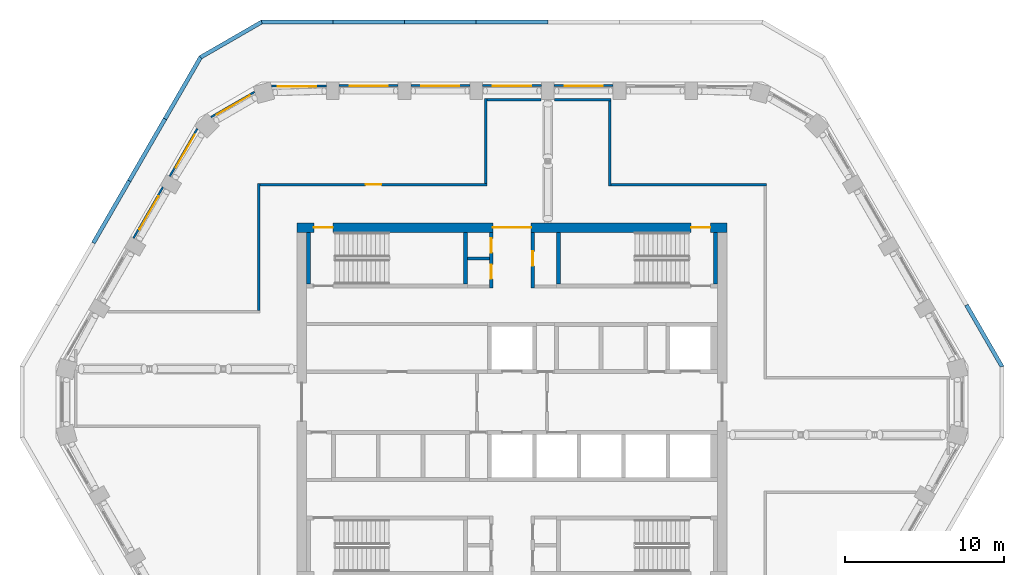
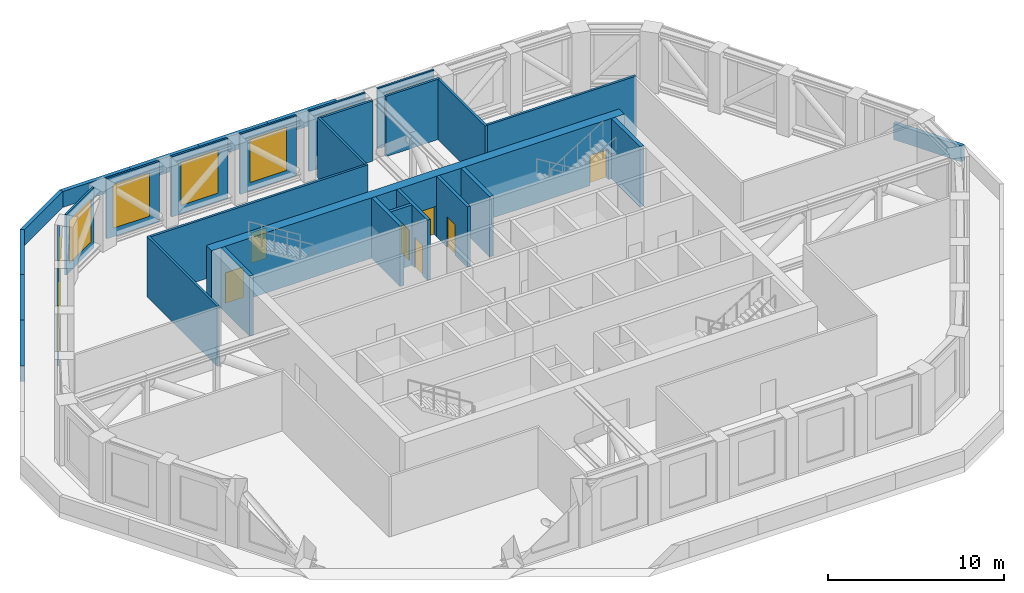
# One storey, part 9 of 15: 32 walls, 8 windows, 7 doors, 15 openings.
"""IFC4 building model written with IfcOpenShell, lengths in metres."""

from ifc_helpers import new_model, si_unit, direction, frame, frame_2d, origin, place, context, subcontext, project, spatial, polyline, rectangle, outline, extrude, material, layer, layer_set, type_object, element, fill, save


model = new_model("IFC4")

# Units and contexts
model_context = context("Model", 3, precision=1e-05, world=origin(), true_north=direction((0.0, 1.0)))
body_context = subcontext(model_context, "Body", "Model", "MODEL_VIEW")
ifc_project = project(units=[si_unit("LENGTHUNIT", "METRE"), si_unit("AREAUNIT", "SQUARE_METRE"), si_unit("VOLUMEUNIT", "CUBIC_METRE"), si_unit("PLANEANGLEUNIT", "RADIAN"), si_unit("MASSUNIT", "GRAM", prefix="KILO")], contexts=[model_context])

# Site, building, storey
site_placement = place(None, origin())
site = spatial("IfcSite", under=ifc_project, at=site_placement, CompositionType="ELEMENT")
building_placement = place(site_placement, origin())
building = spatial("IfcBuilding", under=site, at=building_placement, Name="Dhurran Vertical Campus", CompositionType="ELEMENT")
storey_placement = place(building_placement, frame((0.0, 0.0, 230.699951171875)))
storey = spatial("IfcBuildingStorey", under=building, at=storey_placement, Name="L57 Plant", CompositionType="ELEMENT", Elevation=230.699951171875)

# Wall, opening, window
ifc_material_1 = material(Name="Precast concrete C50/60", Category="concrete")
ifc_layer_1 = layer(ifc_material_1, 0.1201171875)
ifc_layer_set_1 = layer_set([ifc_layer_1], Name="Precast concrete C50/60")
wall_type_1 = type_object("IfcWallType", Name="Precast louvre-bay panel 120", PredefinedType="SOLIDWALL", material=ifc_layer_set_1)
wall_1_placement = place(storey_placement, frame((6.349609375, 19.8837890625, 0.0), z_axis=(0.0, 0.0, 1.0), x_axis=(-1.0, 0.0, 0.0)))
wall_1 = element("IfcWall", 1, at=wall_1_placement, inside=storey, type_object=wall_type_1, Name="EW4 L57.20", PredefinedType="SOLIDWALL", context=body_context, shape_type="SweptSolid", body=[
    extrude(rectangle(XDim=3.69921875, YDim=0.1201171875, at=frame_2d((1.849609375, 0.0))), origin(), (0.0, 0.0, 1.0), 4.175048828125),
])
opening_1_placement = place(wall_1_placement, frame((0.6494140625, 0.0, 0.60009765625)))
opening_1 = element("IfcOpeningElement", 2, at=opening_1_placement, cuts=wall_1, Name="Opening WT4", PredefinedType="OPENING", context=body_context, shape_type="SweptSolid", body=[
    extrude(rectangle(XDim=2.39990234375, YDim=3.0, at=frame_2d((1.199951171875, 1.5))), frame((0.0, 0.070068359375, 0.0), z_axis=(0.0, -1.0, 0.0), x_axis=(1.0, 0.0, 0.0)), (0.0, 0.0, 1.0), 0.14013671875),
])
ifc_material_2 = material(Name="Aluminium louvre", Category="aluminium")
window_type = type_object("IfcWindowType", Name="Louvred plant vent 2400 x 3000", PartitioningType="SINGLE_PANEL", PredefinedType="WINDOW", material=ifc_material_2)
window_1_placement = place(opening_1_placement, origin())
window_1 = element("IfcWindow", 3, at=window_1_placement, inside=storey, type_object=window_type, Name="WT4 L57.20", OverallHeight=3.0, OverallWidth=2.39990234375, PartitioningType="SINGLE_PANEL", PredefinedType="WINDOW", context=body_context, shape_type="SweptSolid", body=[
    extrude(rectangle(XDim=2.39990234375, YDim=3.0, at=frame_2d((1.199951171875, 1.5))), frame((0.0, 0.06005859375, 0.0), z_axis=(0.0, -1.0, 0.0), x_axis=(1.0, 0.0, 0.0)), (0.0, 0.0, 1.0), 0.02001953125),
])
fill(opening_1, window_1)

wall_2_placement = place(storey_placement, frame((1.849609375, 19.8837890625, 0.0), z_axis=(0.0, 0.0, 1.0), x_axis=(-1.0, 0.0, 0.0)))
wall_2 = element("IfcWall", 4, at=wall_2_placement, inside=storey, type_object=wall_type_1, Name="EW4 L57.21", PredefinedType="SOLIDWALL", context=body_context, shape_type="SweptSolid", body=[
    extrude(rectangle(XDim=3.69921875, YDim=0.1201171875, at=frame_2d((1.849609375, 0.0))), origin(), (0.0, 0.0, 1.0), 4.175048828125),
])
opening_2_placement = place(wall_2_placement, frame((0.6494140625, 0.0, 0.60009765625)))
opening_2 = element("IfcOpeningElement", 5, at=opening_2_placement, cuts=wall_2, Name="Opening WT4", PredefinedType="OPENING", context=body_context, shape_type="SweptSolid", body=[
    extrude(rectangle(XDim=2.39990234375, YDim=3.0, at=frame_2d((1.199951171875, 1.5))), frame((0.0, 0.070068359375, 0.0), z_axis=(0.0, -1.0, 0.0), x_axis=(1.0, 0.0, 0.0)), (0.0, 0.0, 1.0), 0.14013671875),
])
window_2_placement = place(opening_2_placement, origin())
window_2 = element("IfcWindow", 6, at=window_2_placement, inside=storey, type_object=window_type, Name="WT4 L57.21", OverallHeight=3.0, OverallWidth=2.39990234375, PartitioningType="SINGLE_PANEL", PredefinedType="WINDOW", context=body_context, shape_type="SweptSolid", body=[
    extrude(rectangle(XDim=2.39990234375, YDim=3.0, at=frame_2d((1.199951171875, 1.5))), frame((0.0, 0.06005859375, 0.0), z_axis=(0.0, -1.0, 0.0), x_axis=(1.0, 0.0, 0.0)), (0.0, 0.0, 1.0), 0.02001953125),
])
fill(opening_2, window_2)

wall_3_placement = place(storey_placement, frame((-2.650390625, 19.8837890625, 0.0), z_axis=(0.0, 0.0, 1.0), x_axis=(-1.0, 0.0, 0.0)))
wall_3 = element("IfcWall", 7, at=wall_3_placement, inside=storey, type_object=wall_type_1, Name="EW4 L57.22", PredefinedType="SOLIDWALL", context=body_context, shape_type="SweptSolid", body=[
    extrude(rectangle(XDim=3.69921875, YDim=0.1201171875, at=frame_2d((1.849609375, 0.0))), origin(), (0.0, 0.0, 1.0), 4.175048828125),
])
opening_3_placement = place(wall_3_placement, frame((0.6494140625, 0.0, 0.60009765625)))
opening_3 = element("IfcOpeningElement", 8, at=opening_3_placement, cuts=wall_3, Name="Opening WT4", PredefinedType="OPENING", context=body_context, shape_type="SweptSolid", body=[
    extrude(rectangle(XDim=2.39990234375, YDim=3.0, at=frame_2d((1.199951171875, 1.5))), frame((0.0, 0.070068359375, 0.0), z_axis=(0.0, -1.0, 0.0), x_axis=(1.0, 0.0, 0.0)), (0.0, 0.0, 1.0), 0.14013671875),
])
window_3_placement = place(opening_3_placement, origin())
window_3 = element("IfcWindow", 9, at=window_3_placement, inside=storey, type_object=window_type, Name="WT4 L57.22", OverallHeight=3.0, OverallWidth=2.39990234375, PartitioningType="SINGLE_PANEL", PredefinedType="WINDOW", context=body_context, shape_type="SweptSolid", body=[
    extrude(rectangle(XDim=2.39990234375, YDim=3.0, at=frame_2d((1.199951171875, 1.5))), frame((0.0, 0.06005859375, 0.0), z_axis=(0.0, -1.0, 0.0), x_axis=(1.0, 0.0, 0.0)), (0.0, 0.0, 1.0), 0.02001953125),
])
fill(opening_3, window_3)

wall_4_placement = place(storey_placement, frame((-7.150390625, 19.8837890625, 0.0), z_axis=(0.0, 0.0, 1.0), x_axis=(-1.0, 0.0, 0.0)))
wall_4 = element("IfcWall", 10, at=wall_4_placement, inside=storey, type_object=wall_type_1, Name="EW4 L57.23", PredefinedType="SOLIDWALL", context=body_context, shape_type="SweptSolid", body=[
    extrude(rectangle(XDim=3.69921875, YDim=0.1201171875, at=frame_2d((1.849609375, 0.0))), origin(), (0.0, 0.0, 1.0), 4.175048828125),
])
opening_4_placement = place(wall_4_placement, frame((0.6494140625, 0.0, 0.60009765625)))
opening_4 = element("IfcOpeningElement", 11, at=opening_4_placement, cuts=wall_4, Name="Opening WT4", PredefinedType="OPENING", context=body_context, shape_type="SweptSolid", body=[
    extrude(rectangle(XDim=2.39990234375, YDim=3.0, at=frame_2d((1.199951171875, 1.5))), frame((0.0, 0.070068359375, 0.0), z_axis=(0.0, -1.0, 0.0), x_axis=(1.0, 0.0, 0.0)), (0.0, 0.0, 1.0), 0.14013671875),
])
window_4_placement = place(opening_4_placement, origin())
window_4 = element("IfcWindow", 12, at=window_4_placement, inside=storey, type_object=window_type, Name="WT4 L57.23", OverallHeight=3.0, OverallWidth=2.39990234375, PartitioningType="SINGLE_PANEL", PredefinedType="WINDOW", context=body_context, shape_type="SweptSolid", body=[
    extrude(rectangle(XDim=2.39990234375, YDim=3.0, at=frame_2d((1.199951171875, 1.5))), frame((0.0, 0.06005859375, 0.0), z_axis=(0.0, -1.0, 0.0), x_axis=(1.0, 0.0, 0.0)), (0.0, 0.0, 1.0), 0.02001953125),
])
fill(opening_4, window_4)

wall_5_placement = place(storey_placement, frame((-11.650390625, 19.850830078125, 0.0), z_axis=(0.0, 0.0, 1.0), x_axis=(-1.0, 0.0, 0.0)))
wall_5 = element("IfcWall", 13, at=wall_5_placement, inside=storey, type_object=wall_type_1, Name="EW4 L57.24", PredefinedType="SOLIDWALL", context=body_context, shape_type="SweptSolid", body=[
    extrude(rectangle(XDim=3.4501953125, YDim=0.1201171875, at=frame_2d((1.72509765625, 0.0))), origin(), (0.0, 0.0, 1.0), 4.175048828125),
])
opening_5_placement = place(wall_5_placement, frame((0.6494140625, 0.0, 0.60009765625)))
opening_5 = element("IfcOpeningElement", 14, at=opening_5_placement, cuts=wall_5, Name="Opening WT4", PredefinedType="OPENING", context=body_context, shape_type="SweptSolid", body=[
    extrude(rectangle(XDim=2.39990234375, YDim=3.0, at=frame_2d((1.199951171875, 1.5))), frame((0.0, 0.070068359375, 0.0), z_axis=(0.0, -1.0, 0.0), x_axis=(1.0, 0.0, 0.0)), (0.0, 0.0, 1.0), 0.14013671875),
])
window_5_placement = place(opening_5_placement, origin())
window_5 = element("IfcWindow", 15, at=window_5_placement, inside=storey, type_object=window_type, Name="WT4 L57.24", OverallHeight=3.0, OverallWidth=2.39990234375, PartitioningType="SINGLE_PANEL", PredefinedType="WINDOW", context=body_context, shape_type="SweptSolid", body=[
    extrude(rectangle(XDim=2.39990234375, YDim=3.0, at=frame_2d((1.199951171875, 1.5))), frame((0.0, 0.06005859375, 0.0), z_axis=(0.0, -1.0, 0.0), x_axis=(1.0, 0.0, 0.0)), (0.0, 0.0, 1.0), 0.02001953125),
])
fill(opening_5, window_5)

wall_6_placement = place(storey_placement, frame((-16.169189453125, 19.46728515625, 0.0), z_axis=(0.0, 0.0, 1.0), x_axis=(-0.866008907395, -0.500028571497, 0.0)))
wall_6 = element("IfcWall", 16, at=wall_6_placement, inside=storey, type_object=wall_type_1, Name="EW4 L57.25", PredefinedType="SOLIDWALL", context=body_context, shape_type="SweptSolid", body=[
    extrude(rectangle(XDim=3.152587890625, YDim=0.1201171875, at=frame_2d((1.576171875, 0.0))), origin(), (0.0, 0.0, 1.0), 4.175048828125),
])
opening_6_placement = place(wall_6_placement, frame((0.376220703125, 0.0, 0.60009765625)))
opening_6 = element("IfcOpeningElement", 17, at=opening_6_placement, cuts=wall_6, Name="Opening WT4", PredefinedType="OPENING", context=body_context, shape_type="SweptSolid", body=[
    extrude(rectangle(XDim=2.39990234375, YDim=3.0, at=frame_2d((1.199951171875, 1.5))), frame((0.0, 0.070068359375, 0.0), z_axis=(0.0, -1.0, 0.0), x_axis=(1.0, 0.0, 0.0)), (0.0, 0.0, 1.0), 0.14013671875),
])
window_6_placement = place(opening_6_placement, origin())
window_6 = element("IfcWindow", 18, at=window_6_placement, inside=storey, type_object=window_type, Name="WT4 L57.25", OverallHeight=3.0, OverallWidth=2.39990234375, PartitioningType="SINGLE_PANEL", PredefinedType="WINDOW", context=body_context, shape_type="SweptSolid", body=[
    extrude(rectangle(XDim=2.39990234375, YDim=3.0, at=frame_2d((1.199951171875, 1.5))), frame((0.0, 0.06005859375, 0.0), z_axis=(0.0, -1.0, 0.0), x_axis=(1.0, 0.0, 0.0)), (0.0, 0.0, 1.0), 0.02001953125),
])
fill(opening_6, window_6)

wall_7_placement = place(storey_placement, frame((-19.76611328125, 17.156982421875, 0.0), z_axis=(0.0, 0.0, 1.0), x_axis=(-0.499967486139, -0.866044174857, 0.0)))
wall_7 = element("IfcWall", 19, at=wall_7_placement, inside=storey, type_object=wall_type_1, Name="EW4 L57.26", PredefinedType="SOLIDWALL", context=body_context, shape_type="SweptSolid", body=[
    extrude(rectangle(XDim=3.449951171875, YDim=0.1201171875, at=frame_2d((1.72509765625, 0.0))), origin(), (0.0, 0.0, 1.0), 4.175048828125),
])
opening_7_placement = place(wall_7_placement, frame((0.400390625, 0.0, 0.60009765625)))
opening_7 = element("IfcOpeningElement", 20, at=opening_7_placement, cuts=wall_7, Name="Opening WT4", PredefinedType="OPENING", context=body_context, shape_type="SweptSolid", body=[
    extrude(rectangle(XDim=2.39990234375, YDim=3.0, at=frame_2d((1.199951171875, 1.5))), frame((0.0, 0.070068359375, 0.0), z_axis=(0.0, -1.0, 0.0), x_axis=(1.0, 0.0, 0.0)), (0.0, 0.0, 1.0), 0.14013671875),
])
window_7_placement = place(opening_7_placement, origin())
window_7 = element("IfcWindow", 21, at=window_7_placement, inside=storey, type_object=window_type, Name="WT4 L57.26", OverallHeight=3.0, OverallWidth=2.39990234375, PartitioningType="SINGLE_PANEL", PredefinedType="WINDOW", context=body_context, shape_type="SweptSolid", body=[
    extrude(rectangle(XDim=2.39990234375, YDim=3.0, at=frame_2d((1.199951171875, 1.5))), frame((0.0, 0.06005859375, 0.0), z_axis=(0.0, -1.0, 0.0), x_axis=(1.0, 0.0, 0.0)), (0.0, 0.0, 1.0), 0.02001953125),
])
fill(opening_7, window_7)

wall_8_placement = place(storey_placement, frame((-21.919921875, 13.4921875, 0.0), z_axis=(0.0, 0.0, 1.0), x_axis=(-0.500029062817, -0.866008623709, 0.0)))
wall_8 = element("IfcWall", 22, at=wall_8_placement, inside=storey, type_object=wall_type_1, Name="EW4 L57.27", PredefinedType="SOLIDWALL", context=body_context, shape_type="SweptSolid", body=[
    extrude(rectangle(XDim=3.698974609375, YDim=0.1201171875, at=frame_2d((1.849609375, 0.0))), origin(), (0.0, 0.0, 1.0), 4.175048828125),
])
opening_8_placement = place(wall_8_placement, frame((0.6494140625, 0.0, 0.60009765625)))
opening_8 = element("IfcOpeningElement", 23, at=opening_8_placement, cuts=wall_8, Name="Opening WT4", PredefinedType="OPENING", context=body_context, shape_type="SweptSolid", body=[
    extrude(rectangle(XDim=2.39990234375, YDim=3.0, at=frame_2d((1.199951171875, 1.5))), frame((0.0, 0.070068359375, 0.0), z_axis=(0.0, -1.0, 0.0), x_axis=(1.0, 0.0, 0.0)), (0.0, 0.0, 1.0), 0.14013671875),
])
window_8_placement = place(opening_8_placement, origin())
window_8 = element("IfcWindow", 24, at=window_8_placement, inside=storey, type_object=window_type, Name="WT4 L57.27", OverallHeight=3.0, OverallWidth=2.39990234375, PartitioningType="SINGLE_PANEL", PredefinedType="WINDOW", context=body_context, shape_type="SweptSolid", body=[
    extrude(rectangle(XDim=2.39990234375, YDim=3.0, at=frame_2d((1.199951171875, 1.5))), frame((0.0, 0.06005859375, 0.0), z_axis=(0.0, -1.0, 0.0), x_axis=(1.0, 0.0, 0.0)), (0.0, 0.0, 1.0), 0.02001953125),
])
fill(opening_8, window_8)

# Walls
ifc_material_3 = material(Name="Precast concrete C50/60", Category="concrete")
ifc_layer_2 = layer(ifc_material_3, 0.25)
ifc_layer_set_2 = layer_set([ifc_layer_2], Name="Precast concrete C50/60")
wall_type_2 = type_object("IfcWallType", Name="Precast parapet 250", PredefinedType="PARAPET", material=ifc_layer_set_2)
wall_9_placement = place(storey_placement, origin())
element("IfcWall", 25, at=wall_9_placement, inside=storey, type_object=wall_type_2, Name="PW1 L57.14", PredefinedType="PARAPET", context=body_context, shape_type="SweptSolid", body=[
    extrude(outline(polyline([(30.897216796875, 2.25), (28.647216796875, 6.147216796875), (28.4306640625, 6.022216796875), (30.647216796875, 2.18310546875), (30.897216796875, 2.25)])), origin(), (0.0, 0.0, 1.0), 1.10009765625),
])
wall_10_placement = place(storey_placement, origin())
element("IfcWall", 26, at=wall_10_placement, inside=storey, type_object=wall_type_2, Name="PW1 L57.23", PredefinedType="PARAPET", context=body_context, shape_type="SweptSolid", body=[
    extrude(outline(polyline([(2.25, 23.985595703125), (-2.25, 23.985595703125), (-2.25, 23.735595703125), (2.25, 23.735595703125), (2.25, 23.985595703125)])), origin(), (0.0, 0.0, 1.0), 1.10009765625),
])
wall_11_placement = place(storey_placement, origin())
element("IfcWall", 27, at=wall_11_placement, inside=storey, type_object=wall_type_2, Name="PW1 L57.24", PredefinedType="PARAPET", context=body_context, shape_type="SweptSolid", body=[
    extrude(outline(polyline([(-2.25, 23.985595703125), (-6.75, 23.985595703125), (-6.75, 23.735595703125), (-2.25, 23.735595703125), (-2.25, 23.985595703125)])), origin(), (0.0, 0.0, 1.0), 1.10009765625),
])
wall_12_placement = place(storey_placement, origin())
element("IfcWall", 28, at=wall_12_placement, inside=storey, type_object=wall_type_2, Name="PW1 L57.25", PredefinedType="PARAPET", context=body_context, shape_type="SweptSolid", body=[
    extrude(outline(polyline([(-6.75, 23.985595703125), (-11.25, 23.985595703125), (-11.25, 23.735595703125), (-6.75, 23.735595703125), (-6.75, 23.985595703125)])), origin(), (0.0, 0.0, 1.0), 1.10009765625),
])
wall_13_placement = place(storey_placement, origin())
element("IfcWall", 29, at=wall_13_placement, inside=storey, type_object=wall_type_2, Name="PW1 L57.26", PredefinedType="PARAPET", context=body_context, shape_type="SweptSolid", body=[
    extrude(outline(polyline([(-11.25, 23.985595703125), (-15.75, 23.985595703125), (-15.68310546875, 23.735595703125), (-11.25, 23.735595703125), (-11.25, 23.985595703125)])), origin(), (0.0, 0.0, 1.0), 1.10009765625),
])
wall_14_placement = place(storey_placement, origin())
element("IfcWall", 30, at=wall_14_placement, inside=storey, type_object=wall_type_2, Name="PW1 L57.27", PredefinedType="PARAPET", context=body_context, shape_type="SweptSolid", body=[
    extrude(outline(polyline([(-15.75, 23.985595703125), (-19.647216796875, 21.735595703125), (-19.464111328125, 21.552490234375), (-15.68310546875, 23.735595703125), (-15.75, 23.985595703125)])), origin(), (0.0, 0.0, 1.0), 1.10009765625),
])
wall_15_placement = place(storey_placement, origin())
element("IfcWall", 31, at=wall_15_placement, inside=storey, type_object=wall_type_2, Name="PW1 L57.28", PredefinedType="PARAPET", context=body_context, shape_type="SweptSolid", body=[
    extrude(outline(polyline([(-19.647216796875, 21.735595703125), (-21.897216796875, 17.83837890625), (-21.6806640625, 17.71337890625), (-19.464111328125, 21.552490234375), (-19.647216796875, 21.735595703125)])), origin(), (0.0, 0.0, 1.0), 1.10009765625),
])
wall_16_placement = place(storey_placement, origin())
element("IfcWall", 32, at=wall_16_placement, inside=storey, type_object=wall_type_2, Name="PW1 L57.29", PredefinedType="PARAPET", context=body_context, shape_type="SweptSolid", body=[
    extrude(outline(polyline([(-21.897216796875, 17.83837890625), (-24.147216796875, 13.94140625), (-23.9306640625, 13.81640625), (-21.6806640625, 17.71337890625), (-21.897216796875, 17.83837890625)])), origin(), (0.0, 0.0, 1.0), 1.10009765625),
])
wall_17_placement = place(storey_placement, origin())
element("IfcWall", 33, at=wall_17_placement, inside=storey, type_object=wall_type_2, Name="PW1 L57.30", PredefinedType="PARAPET", context=body_context, shape_type="SweptSolid", body=[
    extrude(outline(polyline([(-24.147216796875, 13.94140625), (-26.397216796875, 10.044189453125), (-26.1806640625, 9.919189453125), (-23.9306640625, 13.81640625), (-24.147216796875, 13.94140625)])), origin(), (0.0, 0.0, 1.0), 1.10009765625),
])

# Wall, openings, doors
ifc_material_4 = material(Name="Concrete C50/60", Category="concrete")
ifc_layer_3 = layer(ifc_material_4, 0.60009765625)
ifc_layer_set_3 = layer_set([ifc_layer_3], Name="Concrete C50/60")
wall_type_3 = type_object("IfcWallType", Name="co-CORE-WALL-C2-600", PredefinedType="SHEAR", material=ifc_layer_set_3)
wall_18_placement = place(storey_placement, frame((-13.5, 10.949951171875, 0.0), z_axis=(0.0, 0.0, 1.0), x_axis=(1.0, 0.0, 0.0)))
wall_18 = element("IfcWall", 34, at=wall_18_placement, inside=storey, type_object=wall_type_3, Name="Core wall N L57", PredefinedType="SHEAR", context=body_context, shape_type="SweptSolid", body=[
    extrude(rectangle(XDim=27.0, YDim=0.60009765625, at=frame_2d((13.5, 0.0))), origin(), (0.0, 0.0, 1.0), 4.175048828125),
])
opening_9_placement = place(wall_18_placement, frame((12.300048828125, 0.0, 0.0)))
opening_9 = element("IfcOpeningElement", 35, at=opening_9_placement, cuts=wall_18, Name="Opening CV1", PredefinedType="OPENING", context=body_context, shape_type="SweptSolid", body=[
    extrude(rectangle(XDim=2.39990234375, YDim=2.10009765625, at=frame_2d((1.199951171875, 1.050048828125))), frame((0.0, 0.31005859375, 0.0), z_axis=(0.0, -1.0, 0.0), x_axis=(1.0, 0.0, 0.0)), (0.0, 0.0, 1.0), 0.6201171875),
])
opening_10_placement = place(wall_18_placement, frame((1.050048828125, 0.0, 0.0)))
opening_10 = element("IfcOpeningElement", 36, at=opening_10_placement, cuts=wall_18, Name="Opening XD1", PredefinedType="OPENING", context=body_context, shape_type="SweptSolid", body=[
    extrude(rectangle(XDim=1.199951171875, YDim=2.10009765625, at=frame_2d((0.60009765625, 1.050048828125))), frame((0.0, 0.31005859375, 0.0), z_axis=(0.0, -1.0, 0.0), x_axis=(1.0, 0.0, 0.0)), (0.0, 0.0, 1.0), 0.6201171875),
])
opening_11_placement = place(wall_18_placement, frame((24.75, 0.0, 0.0)))
opening_11 = element("IfcOpeningElement", 37, at=opening_11_placement, cuts=wall_18, Name="Opening XD2", PredefinedType="OPENING", context=body_context, shape_type="SweptSolid", body=[
    extrude(rectangle(XDim=1.199951171875, YDim=2.10009765625, at=frame_2d((0.60009765625, 1.050048828125))), frame((0.0, 0.31005859375, 0.0), z_axis=(0.0, -1.0, 0.0), x_axis=(1.0, 0.0, 0.0)), (0.0, 0.0, 1.0), 0.6201171875),
])
ifc_material_5 = material(Name="Fire-rated glazed door set")
door_type_1 = type_object("IfcDoorType", Name="co-D-LOBBY 2400x2100", OperationType="DOUBLE_DOOR_DOUBLE_SWING", PredefinedType="DOOR", material=ifc_material_5)
door_1_placement = place(opening_9_placement, origin())
door_1 = element("IfcDoor", 38, at=door_1_placement, inside=storey, type_object=door_type_1, Name="Core vestibule door N L57", OperationType="DOUBLE_DOOR_DOUBLE_SWING", OverallHeight=2.10009765625, OverallWidth=2.39990234375, PredefinedType="DOOR", context=body_context, shape_type="SweptSolid", body=[
    extrude(rectangle(XDim=2.39990234375, YDim=2.10009765625, at=frame_2d((1.199951171875, 1.050048828125))), frame((0.0, 0.02490234375, 0.0), z_axis=(0.0, -1.0, 0.0), x_axis=(1.0, 0.0, 0.0)), (0.0, 0.0, 1.0), 0.050048828125),
])
fill(opening_9, door_1)
ifc_material_6 = material(Name="Fire-rated steel door set", Category="steel")
door_type_2 = type_object("IfcDoorType", Name="co-D-STAIR-EXIT 1200x2100", OperationType="SINGLE_SWING_RIGHT", PredefinedType="DOOR", material=ifc_material_6)
door_2_placement = place(opening_10_placement, origin())
door_2 = element("IfcDoor", 39, at=door_2_placement, inside=storey, type_object=door_type_2, Name="Stair ST1 exit door L57", OperationType="SINGLE_SWING_RIGHT", OverallHeight=2.10009765625, OverallWidth=1.199951171875, PredefinedType="DOOR", context=body_context, shape_type="SweptSolid", body=[
    extrude(rectangle(XDim=1.199951171875, YDim=2.10009765625, at=frame_2d((0.60009765625, 1.050048828125))), frame((0.0, 0.02490234375, 0.0), z_axis=(0.0, -1.0, 0.0), x_axis=(1.0, 0.0, 0.0)), (0.0, 0.0, 1.0), 0.050048828125),
])
fill(opening_10, door_2)
door_3_placement = place(opening_11_placement, origin())
door_3 = element("IfcDoor", 40, at=door_3_placement, inside=storey, type_object=door_type_2, Name="Stair ST2 exit door L57", OperationType="SINGLE_SWING_RIGHT", OverallHeight=2.10009765625, OverallWidth=1.199951171875, PredefinedType="DOOR", context=body_context, shape_type="SweptSolid", body=[
    extrude(rectangle(XDim=1.199951171875, YDim=2.10009765625, at=frame_2d((0.60009765625, 1.050048828125))), frame((0.0, 0.02490234375, 0.0), z_axis=(0.0, -1.0, 0.0), x_axis=(1.0, 0.0, 0.0)), (0.0, 0.0, 1.0), 0.050048828125),
])
fill(opening_11, door_3)

# Wall
ifc_material_7 = material(Name="Fire-rated masonry blockwork", Category="masonry")
ifc_layer_4 = layer(ifc_material_7, 0.199951171875)
ifc_layer_set_4 = layer_set([ifc_layer_4], Name="Fire-rated masonry blockwork")
wall_type_4 = type_object("IfcWallType", Name="co-FIRE-PARTITION-200", PredefinedType="PARTITIONING", material=ifc_layer_set_4)
wall_19_placement = place(storey_placement, frame((-2.800048828125, 9.0, 0.0), z_axis=(0.0, 0.0, 1.0), x_axis=(1.0, 0.0, 0.0)))
element("IfcWall", 41, at=wall_19_placement, inside=storey, type_object=wall_type_4, Name="Core partition sl-NW-cut0 L57", PredefinedType="PARTITIONING", context=body_context, shape_type="SweptSolid", body=[
    extrude(rectangle(XDim=1.400146484375, YDim=0.199951171875, at=frame_2d((0.7001953125, 0.0))), origin(), (0.0, 0.0, 1.0), 4.175048828125),
])

# Wall, openings, doors
wall_20_placement = place(storey_placement, frame((-1.300048828125, 7.14990234375, 0.0), z_axis=(0.0, 0.0, 1.0), x_axis=(0.0, 1.0, 0.0)))
wall_20 = element("IfcWall", 42, at=wall_20_placement, inside=storey, type_object=wall_type_4, Name="Core partition vest-NW L57", PredefinedType="PARTITIONING", context=body_context, shape_type="SweptSolid", body=[
    extrude(rectangle(XDim=3.5, YDim=0.199951171875, at=frame_2d((1.75, 0.0))), origin(), (0.0, 0.0, 1.0), 4.175048828125),
])
opening_12_placement = place(wall_20_placement, frame((0.574951171875, 0.0, 0.0)))
opening_12 = element("IfcOpeningElement", 43, at=opening_12_placement, cuts=wall_20, Name="Opening BR57-C5", PredefinedType="OPENING", context=body_context, shape_type="SweptSolid", body=[
    extrude(rectangle(XDim=0.89990234375, YDim=2.10009765625, at=frame_2d((0.449951171875, 1.050048828125))), frame((0.0, 0.10986328125, 0.0), z_axis=(0.0, -1.0, 0.0), x_axis=(1.0, 0.0, 0.0)), (0.0, 0.0, 1.0), 0.219970703125),
])
opening_13_placement = place(wall_20_placement, frame((2.22509765625, 0.0, 0.0)))
opening_13 = element("IfcOpeningElement", 44, at=opening_13_placement, cuts=wall_20, Name="Opening BR57-C6", PredefinedType="OPENING", context=body_context, shape_type="SweptSolid", body=[
    extrude(rectangle(XDim=0.89990234375, YDim=2.10009765625, at=frame_2d((0.449951171875, 1.050048828125))), frame((0.0, 0.10986328125, 0.0), z_axis=(0.0, -1.0, 0.0), x_axis=(1.0, 0.0, 0.0)), (0.0, 0.0, 1.0), 0.219970703125),
])
ifc_material_8 = material(Name="Fire-rated timber door set", Category="wood")
door_type_3 = type_object("IfcDoorType", Name="co-D-ROOM 900x2100", OperationType="SINGLE_SWING_LEFT", PredefinedType="DOOR", material=ifc_material_8)
door_4_placement = place(opening_12_placement, origin())
door_4 = element("IfcDoor", 45, at=door_4_placement, inside=storey, type_object=door_type_3, Name="Transformer room door L57", OperationType="SINGLE_SWING_LEFT", OverallHeight=2.10009765625, OverallWidth=0.89990234375, PredefinedType="DOOR", context=body_context, shape_type="SweptSolid", body=[
    extrude(rectangle(XDim=0.89990234375, YDim=2.10009765625, at=frame_2d((0.449951171875, 1.050048828125))), frame((0.0, 0.02490234375, 0.0), z_axis=(0.0, -1.0, 0.0), x_axis=(1.0, 0.0, 0.0)), (0.0, 0.0, 1.0), 0.050048828125),
])
fill(opening_12, door_4)
door_5_placement = place(opening_13_placement, origin())
door_5 = element("IfcDoor", 46, at=door_5_placement, inside=storey, type_object=door_type_3, Name="Air handling plant room door L57", OperationType="SINGLE_SWING_LEFT", OverallHeight=2.10009765625, OverallWidth=0.89990234375, PredefinedType="DOOR", context=body_context, shape_type="SweptSolid", body=[
    extrude(rectangle(XDim=0.89990234375, YDim=2.10009765625, at=frame_2d((0.449951171875, 1.050048828125))), frame((0.0, 0.02490234375, 0.0), z_axis=(0.0, -1.0, 0.0), x_axis=(1.0, 0.0, 0.0)), (0.0, 0.0, 1.0), 0.050048828125),
])
fill(opening_13, door_5)

# Wall, opening, door
wall_21_placement = place(storey_placement, frame((1.300048828125, 7.14990234375, 0.0), z_axis=(0.0, 0.0, 1.0), x_axis=(0.0, 1.0, 0.0)))
wall_21 = element("IfcWall", 47, at=wall_21_placement, inside=storey, type_object=wall_type_4, Name="Core partition vest-NE L57", PredefinedType="PARTITIONING", context=body_context, shape_type="SweptSolid", body=[
    extrude(rectangle(XDim=3.5, YDim=0.199951171875, at=frame_2d((1.75, 0.0))), origin(), (0.0, 0.0, 1.0), 4.175048828125),
])
opening_14_placement = place(wall_21_placement, frame((1.39990234375, 0.0, 0.0)))
opening_14 = element("IfcOpeningElement", 48, at=opening_14_placement, cuts=wall_21, Name="Opening BR57-C7", PredefinedType="OPENING", context=body_context, shape_type="SweptSolid", body=[
    extrude(rectangle(XDim=0.89990234375, YDim=2.10009765625, at=frame_2d((0.449951171875, 1.050048828125))), frame((0.0, 0.10986328125, 0.0), z_axis=(0.0, -1.0, 0.0), x_axis=(1.0, 0.0, 0.0)), (0.0, 0.0, 1.0), 0.219970703125),
])
door_6_placement = place(opening_14_placement, origin())
door_6 = element("IfcDoor", 49, at=door_6_placement, inside=storey, type_object=door_type_3, Name="Water tank room door L57", OperationType="SINGLE_SWING_LEFT", OverallHeight=2.10009765625, OverallWidth=0.89990234375, PredefinedType="DOOR", context=body_context, shape_type="SweptSolid", body=[
    extrude(rectangle(XDim=0.89990234375, YDim=2.10009765625, at=frame_2d((0.449951171875, 1.050048828125))), frame((0.0, 0.02490234375, 0.0), z_axis=(0.0, -1.0, 0.0), x_axis=(1.0, 0.0, 0.0)), (0.0, 0.0, 1.0), 0.050048828125),
])
fill(opening_14, door_6)

# Walls
ifc_material_9 = material(Name="Concrete C40/50", Category="concrete")
ifc_layer_5 = layer(ifc_material_9, 0.25)
ifc_layer_set_5 = layer_set([ifc_layer_5], Name="Concrete C40/50")
wall_type_5 = type_object("IfcWallType", Name="co-STAIR-WALL-250", PredefinedType="SHEAR", material=ifc_layer_set_5)
for number, where, z_axis, x_axis, name in (
    (50, (-12.77490234375, 7.39990234375, 0.0), (0.0, 0.0, 1.0), (0.0, 1.0, 0.0), "Stair ST1 enclosure wall L57"),
    (51, (-2.925048828125, 7.39990234375, 0.0), (0.0, 0.0, 1.0), (0.0, 1.0, 0.0), "Stair ST1 enclosure wall L57"),
    (52, (2.925048828125, 7.39990234375, 0.0), (0.0, 0.0, 1.0), (0.0, 1.0, 0.0), "Stair ST2 enclosure wall L57"),
    (53, (12.77490234375, 7.39990234375, 0.0), (0.0, 0.0, 1.0), (0.0, 1.0, 0.0), "Stair ST2 enclosure wall L57"),
):
    element("IfcWall", number, at=place(storey_placement, frame(where, z_axis=z_axis, x_axis=x_axis)), inside=storey, type_object=wall_type_5, Name=name, PredefinedType="SHEAR", context=body_context, shape_type="SweptSolid", body=[
        extrude(rectangle(XDim=3.25, YDim=0.25, at=frame_2d((1.625, 0.0))), origin(), (0.0, 0.0, 1.0), 4.175048828125),
    ])
ifc_material_10 = material(Name="Gypsum board corridor wall on steel studs", Category="steel")
ifc_layer_6 = layer(ifc_material_10, 0.14990234375)
ifc_layer_set_6 = layer_set([ifc_layer_6], Name="Gypsum board corridor wall on steel studs")
wall_type_6 = type_object("IfcWallType", Name="fl-CW-150 corridor wall", PredefinedType="PARTITIONING", material=ifc_layer_set_6)
wall_22_placement = place(storey_placement, frame((-15.89990234375, 13.72509765625, 0.0), z_axis=(0.0, 0.0, 1.0), x_axis=(0.0, -1.0, 0.0)))
element("IfcWall", 54, at=wall_22_placement, inside=storey, type_object=wall_type_6, Name="Partition 57-07", PredefinedType="PARTITIONING", context=body_context, shape_type="SweptSolid", body=[
    extrude(rectangle(XDim=7.981201171875, YDim=0.14990234375, at=frame_2d((3.99072265625, 0.0))), origin(), (0.0, 0.0, 1.0), 4.175048828125),
])

# Wall, opening, door
wall_23_placement = place(storey_placement, frame((-1.574951171875, 13.64990234375, 0.0), z_axis=(0.0, 0.0, 1.0), x_axis=(-1.0, 0.0, 0.0)))
wall_23 = element("IfcWall", 55, at=wall_23_placement, inside=storey, type_object=wall_type_6, Name="Partition 57-08", PredefinedType="PARTITIONING", context=body_context, shape_type="SweptSolid", body=[
    extrude(rectangle(XDim=14.25, YDim=0.14990234375, at=frame_2d((7.125, 0.0))), origin(), (0.0, 0.0, 1.0), 4.175048828125),
])
opening_15_placement = place(wall_23_placement, frame((6.625, 0.0, 0.0)))
opening_15 = element("IfcOpeningElement", 56, at=opening_15_placement, cuts=wall_23, Name="Opening BR57.02", PredefinedType="OPENING", context=body_context, shape_type="SweptSolid", body=[
    extrude(rectangle(XDim=1.0, YDim=2.10009765625, at=frame_2d((0.5, 1.050048828125))), frame((0.0, 0.0849609375, 0.0), z_axis=(0.0, -1.0, 0.0), x_axis=(1.0, 0.0, 0.0)), (0.0, 0.0, 1.0), 0.169921875),
])
ifc_material_11 = material(Name="Solid-core timber door set, fire-rated", Category="wood")
door_type_4 = type_object("IfcDoorType", Name="fl-D-1000x2100", OperationType="SINGLE_SWING_LEFT", PredefinedType="DOOR", material=ifc_material_11)
door_7_placement = place(opening_15_placement, origin())
door_7 = element("IfcDoor", 57, at=door_7_placement, inside=storey, type_object=door_type_4, Name="Door 57.02", OperationType="SINGLE_SWING_LEFT", OverallHeight=2.10009765625, OverallWidth=1.0, PredefinedType="DOOR", context=body_context, shape_type="SweptSolid", body=[
    extrude(rectangle(XDim=1.0, YDim=2.10009765625, at=frame_2d((0.5, 1.050048828125))), frame((0.0, 0.02490234375, 0.0), z_axis=(0.0, -1.0, 0.0), x_axis=(1.0, 0.0, 0.0)), (0.0, 0.0, 1.0), 0.050048828125),
])
fill(opening_15, door_7)

# Walls
wall_24_placement = place(storey_placement, frame((-1.64990234375, 13.72509765625, 0.0), z_axis=(0.0, 0.0, 1.0), x_axis=(0.0, 1.0, 0.0)))
element("IfcWall", 58, at=wall_24_placement, inside=storey, type_object=wall_type_6, Name="Partition 57-12", PredefinedType="PARTITIONING", context=body_context, shape_type="SweptSolid", body=[
    extrude(rectangle(XDim=5.3388671875, YDim=0.14990234375, at=frame_2d((2.66943359375, 0.0))), origin(), (0.0, 0.0, 1.0), 4.175048828125),
])
wall_25_placement = place(storey_placement, frame((-1.574951171875, 18.989013671875, 0.0), z_axis=(0.0, 0.0, 1.0), x_axis=(1.0, 0.0, 0.0)))
element("IfcWall", 59, at=wall_25_placement, inside=storey, type_object=wall_type_6, Name="Partition 57-13", PredefinedType="PARTITIONING", context=body_context, shape_type="SweptSolid", body=[
    extrude(rectangle(XDim=3.405029296875, YDim=0.14990234375, at=frame_2d((1.70263671875, 0.0))), origin(), (0.0, 0.0, 1.0), 4.175048828125),
])
wall_26_placement = place(storey_placement, frame((2.669921875, 18.989013671875, 0.0), z_axis=(0.0, 0.0, 1.0), x_axis=(1.0, 0.0, 0.0)))
element("IfcWall", 60, at=wall_26_placement, inside=storey, type_object=wall_type_6, Name="Partition 57-14", PredefinedType="PARTITIONING", context=body_context, shape_type="SweptSolid", body=[
    extrude(rectangle(XDim=3.55517578125, YDim=0.14990234375, at=frame_2d((1.777587890625, 0.0))), origin(), (0.0, 0.0, 1.0), 4.175048828125),
])
wall_27_placement = place(storey_placement, frame((6.14990234375, 18.9140625, 0.0), z_axis=(0.0, 0.0, 1.0), x_axis=(0.0, -1.0, 0.0)))
element("IfcWall", 61, at=wall_27_placement, inside=storey, type_object=wall_type_6, Name="Partition 57-17", PredefinedType="PARTITIONING", context=body_context, shape_type="SweptSolid", body=[
    extrude(rectangle(XDim=5.339111328125, YDim=0.14990234375, at=frame_2d((2.66943359375, 0.0))), origin(), (0.0, 0.0, 1.0), 4.175048828125),
])
wall_28_placement = place(storey_placement, frame((15.97509765625, 13.64990234375, 0.0), z_axis=(0.0, 0.0, 1.0), x_axis=(-1.0, 0.0, 0.0)))
element("IfcWall", 62, at=wall_28_placement, inside=storey, type_object=wall_type_6, Name="Partition 57-18", PredefinedType="PARTITIONING", context=body_context, shape_type="SweptSolid", body=[
    extrude(rectangle(XDim=9.75, YDim=0.14990234375, at=frame_2d((4.875, 0.0))), origin(), (0.0, 0.0, 1.0), 4.175048828125),
])

save(model, "model.ifc")
